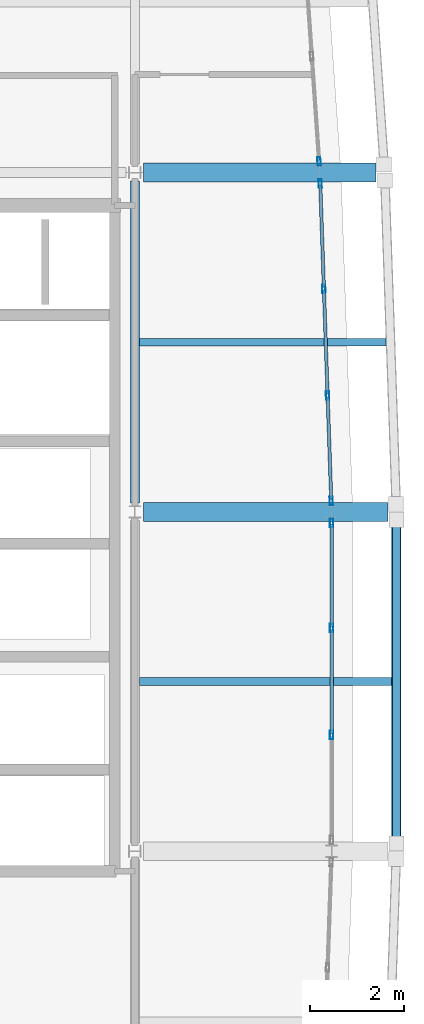
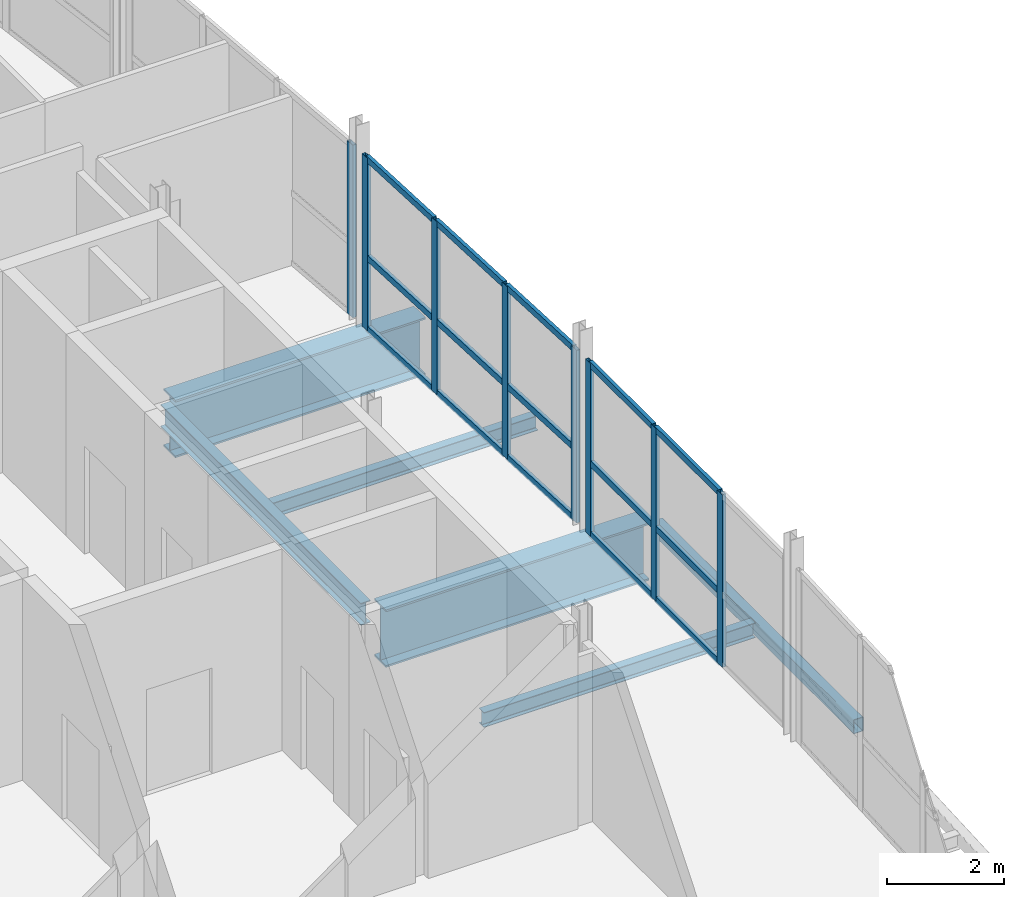
# One storey, part 6 of 17: 23 members, 6 beams, 3 elements without a shape of their own.
"""IFC4 building model written with IfcOpenShell, lengths in metres."""

from ifc_helpers import new_model, si_unit, direction, frame, origin, origin_2d, place, context, subcontext, project, spatial, hollow_rectangle, i_section, extrude, material, layer, layer_set, material_profile, profile_set, type_object, element, aggregate, save


model = new_model("IFC4")

# Units and contexts
model_context = context("Model", 3, precision=1e-05, world=origin(), true_north=direction((0.0, 1.0)))
body_context = subcontext(model_context, "Body", "Model", "MODEL_VIEW")
ifc_project = project(units=[si_unit("LENGTHUNIT", "METRE"), si_unit("AREAUNIT", "SQUARE_METRE"), si_unit("VOLUMEUNIT", "CUBIC_METRE"), si_unit("PLANEANGLEUNIT", "RADIAN"), si_unit("MASSUNIT", "GRAM", prefix="KILO")], contexts=[model_context])

# Site, building, storey
site_placement = place(None, origin())
site = spatial("IfcSite", under=ifc_project, at=site_placement, CompositionType="ELEMENT")
building_placement = place(site_placement, origin())
building = spatial("IfcBuilding", under=site, at=building_placement, Name="Quillay Park Conservatory", CompositionType="ELEMENT")
storey_placement = place(building_placement, frame((0.0, 0.0, 60.300048828125)))
storey = spatial("IfcBuildingStorey", under=building, at=storey_placement, Name="L14", CompositionType="ELEMENT", Elevation=60.300048828125)

# Beams
ifc_material_1 = material(Name="Steel ASTM A992 Grade 50", Category="steel")
ifc_material_profile_1 = material_profile(ifc_material_1, i_section(OverallWidth=0.166015625, OverallDepth=0.31298828125, WebThickness=0.006591796875, FlangeThickness=0.01123046875, FilletRadius=0.010009765625, at=origin_2d()), Name="W310x45")
ifc_profile_set_1 = profile_set([ifc_material_profile_1], Name="Steel ASTM A992 Grade 50")
beam_type_1 = type_object("IfcBeamType", Name="COMPOSITE FLOOR JOIST W310 X45", PredefinedType="JOIST", material=ifc_profile_set_1)
beam_1_placement = place(storey_placement, frame((19.845947265625, 88.800048828125, -0.37158203125), z_axis=(1.0, 0.0, 0.0), x_axis=(0.0, 1.0, 0.0)))
element("IfcBeam", 1, at=beam_1_placement, inside=storey, type_object=beam_type_1, Name="L14 beam BM-J-0979", PredefinedType="JOIST", context=body_context, shape_type="SweptSolid", body=[
    extrude(i_section(OverallWidth=0.166015625, OverallDepth=0.31298828125, WebThickness=0.006591796875, FlangeThickness=0.01123046875, FilletRadius=0.010009765625, at=origin_2d()), origin(), (0.0, 0.0, 1.0), 5.35400390625),
])
beam_2_placement = place(storey_placement, frame((19.845947265625, 96.0, -0.37158203125), z_axis=(1.0, 0.0, 0.0), x_axis=(0.0, 1.0, 0.0)))
element("IfcBeam", 2, at=beam_2_placement, inside=storey, type_object=beam_type_1, Name="L14 beam BM-J-0985", PredefinedType="JOIST", context=body_context, shape_type="SweptSolid", body=[
    extrude(i_section(OverallWidth=0.166015625, OverallDepth=0.31298828125, WebThickness=0.006591796875, FlangeThickness=0.01123046875, FilletRadius=0.010009765625, at=origin_2d()), origin(), (0.0, 0.0, 1.0), 5.22900390625),
])

# Curtain wall, members
ifc_material_2 = material(Name="Thermally Broken Anodised Aluminium 6063-T6", Category="aluminium")
ifc_layer = layer(ifc_material_2, 0.179931640625)
ifc_layer_set = layer_set([ifc_layer], Name="UNITISED CURTAIN WALL TOWER (Thermally Broken Anodised Aluminium 6063-T6)")
curtain_wall_type = type_object("IfcCurtainWallType", Name="UNITISED CURTAIN WALL TOWER", PredefinedType="USERDEFINED", material=ifc_layer_set)
curtain_wall_1_placement = place(storey_placement, origin())
curtain_wall_1 = element("IfcCurtainWall", 3, at=curtain_wall_1_placement, inside=storey, type_object=curtain_wall_type, Name="L14 Unitised Curtain Wall 132", ObjectType="UNITISED CURTAIN WALL", PredefinedType="USERDEFINED")
ifc_material_3 = material(Name="Thermally Broken Anodised Aluminium 6063-T6", Category="aluminium")
ifc_material_profile_2 = material_profile(ifc_material_3, hollow_rectangle(XDim=0.070068359375, YDim=0.179931640625, WallThickness=0.00390625, at=origin_2d()), Name="AL70x180x4")
ifc_profile_set_2 = profile_set([ifc_material_profile_2], Name="Thermally Broken Anodised Aluminium 6063-T6")
member_type_1 = type_object("IfcMemberType", Name="CURTAIN WALL MULLION 70 X180", PredefinedType="MULLION", material=ifc_profile_set_2)
member_1_placement = place(storey_placement, frame((23.925048828125, 92.1650390625, 0.0), z_axis=(0.0, 0.0, 1.0), x_axis=(1.0, 0.0, 0.0)))
member_1 = element("IfcMember", 4, at=member_1_placement, type_object=member_type_1, Name="CW-T1 mullion 1", PredefinedType="MULLION", context=body_context, shape_type="SweptSolid", body=[
    extrude(hollow_rectangle(XDim=0.070068359375, YDim=0.179931640625, WallThickness=0.00390625, at=origin_2d()), origin(), (0.0, 0.0, 1.0), 3.598876953125),
])
member_2_placement = place(storey_placement, frame((23.925048828125, 89.933349609375, 0.0), z_axis=(0.0, 0.0, 1.0), x_axis=(1.0, 0.0, 0.0)))
member_2 = element("IfcMember", 5, at=member_2_placement, type_object=member_type_1, Name="CW-T1 mullion 2", PredefinedType="MULLION", context=body_context, shape_type="SweptSolid", body=[
    extrude(hollow_rectangle(XDim=0.070068359375, YDim=0.179931640625, WallThickness=0.00390625, at=origin_2d()), origin(), (0.0, 0.0, 1.0), 3.598876953125),
])
member_3_placement = place(storey_placement, frame((23.925048828125, 87.666748046875, 0.0), z_axis=(0.0, 0.0, 1.0), x_axis=(1.0, 0.0, 0.0)))
member_3 = element("IfcMember", 6, at=member_3_placement, type_object=member_type_1, Name="CW-T1 mullion 3", PredefinedType="MULLION", context=body_context, shape_type="SweptSolid", body=[
    extrude(hollow_rectangle(XDim=0.070068359375, YDim=0.179931640625, WallThickness=0.00390625, at=origin_2d()), origin(), (0.0, 0.0, 1.0), 3.598876953125),
])

curtain_wall_2_placement = place(storey_placement, origin())
curtain_wall_2 = element("IfcCurtainWall", 7, at=curtain_wall_2_placement, inside=storey, type_object=curtain_wall_type, Name="L14 Unitised Curtain Wall 133", ObjectType="UNITISED CURTAIN WALL", PredefinedType="USERDEFINED")
member_4_placement = place(storey_placement, frame((23.68310546875, 99.365234375, 0.0), z_axis=(0.0, 0.0, 1.0), x_axis=(0.999397310446, 0.034713338537, 0.0)))
member_4 = element("IfcMember", 8, at=member_4_placement, type_object=member_type_1, Name="CW-T1 mullion 1", PredefinedType="MULLION", context=body_context, shape_type="SweptSolid", body=[
    extrude(hollow_rectangle(XDim=0.070068359375, YDim=0.179931640625, WallThickness=0.00390625, at=origin_2d()), origin(), (0.0, 0.0, 1.0), 3.598876953125),
])
member_5_placement = place(storey_placement, frame((23.7607421875, 97.13330078125, 0.0), z_axis=(0.0, 0.0, 1.0), x_axis=(0.999397310446, 0.034713338537, 0.0)))
member_5 = element("IfcMember", 9, at=member_5_placement, type_object=member_type_1, Name="CW-T1 mullion 2", PredefinedType="MULLION", context=body_context, shape_type="SweptSolid", body=[
    extrude(hollow_rectangle(XDim=0.070068359375, YDim=0.179931640625, WallThickness=0.00390625, at=origin_2d()), origin(), (0.0, 0.0, 1.0), 3.598876953125),
])
member_6_placement = place(storey_placement, frame((23.83935546875, 94.86669921875, 0.0), z_axis=(0.0, 0.0, 1.0), x_axis=(0.999397310446, 0.034713338537, 0.0)))
member_6 = element("IfcMember", 10, at=member_6_placement, type_object=member_type_1, Name="CW-T1 mullion 3", PredefinedType="MULLION", context=body_context, shape_type="SweptSolid", body=[
    extrude(hollow_rectangle(XDim=0.070068359375, YDim=0.179931640625, WallThickness=0.00390625, at=origin_2d()), origin(), (0.0, 0.0, 1.0), 3.598876953125),
])
member_7_placement = place(storey_placement, frame((23.9169921875, 92.634765625, 0.0), z_axis=(0.0, 0.0, 1.0), x_axis=(0.999397310446, 0.034713338537, 0.0)))
member_7 = element("IfcMember", 11, at=member_7_placement, type_object=member_type_1, Name="CW-T1 mullion 4", PredefinedType="MULLION", context=body_context, shape_type="SweptSolid", body=[
    extrude(hollow_rectangle(XDim=0.070068359375, YDim=0.179931640625, WallThickness=0.00390625, at=origin_2d()), origin(), (0.0, 0.0, 1.0), 3.598876953125),
])

# Curtain wall, member
curtain_wall_3_placement = place(storey_placement, origin())
curtain_wall_3 = element("IfcCurtainWall", 12, at=curtain_wall_3_placement, inside=storey, type_object=curtain_wall_type, Name="L14 Unitised Curtain Wall 134", ObjectType="UNITISED CURTAIN WALL", PredefinedType="USERDEFINED")
member_8_placement = place(storey_placement, frame((23.65869140625, 99.83447265625, 0.0), z_axis=(0.0, 0.0, 1.0), x_axis=(0.99759835015, 0.069264217159, 0.0)))
member_8 = element("IfcMember", 13, at=member_8_placement, type_object=member_type_1, Name="CW-T1 mullion 4", PredefinedType="MULLION", context=body_context, shape_type="SweptSolid", body=[
    extrude(hollow_rectangle(XDim=0.070068359375, YDim=0.179931640625, WallThickness=0.00390625, at=origin_2d()), origin(), (0.0, 0.0, 1.0), 3.598876953125),
])
aggregate(curtain_wall_3, [member_8])

# Member
ifc_material_4 = material(Name="Thermally Broken Anodised Aluminium 6063-T6", Category="aluminium")
ifc_material_profile_3 = material_profile(ifc_material_4, hollow_rectangle(XDim=0.070068359375, YDim=0.1298828125, WallThickness=0.003173828125, at=origin_2d()), Name="AL70x130x3.2")
ifc_profile_set_3 = profile_set([ifc_material_profile_3], Name="Thermally Broken Anodised Aluminium 6063-T6")
member_type_2 = type_object("IfcMemberType", Name="CURTAIN WALL TRANSOM 70 X130", PredefinedType="USERDEFINED", material=ifc_profile_set_3)
member_9_placement = place(storey_placement, frame((23.925048828125, 92.1298828125, 0.034912109375), z_axis=(0.0, -1.0, 0.0), x_axis=(1.0, 0.0, 0.0)))
member_9 = element("IfcMember", 14, at=member_9_placement, type_object=member_type_2, Name="CW-T1 transom 1.1", ObjectType="TRANSOM", PredefinedType="USERDEFINED", context=body_context, shape_type="SweptSolid", body=[
    extrude(hollow_rectangle(XDim=0.070068359375, YDim=0.1298828125, WallThickness=0.003173828125, at=origin_2d()), origin(), (0.0, 0.0, 1.0), 2.16162109375),
])

member_10_placement = place(storey_placement, frame((23.925048828125, 92.1298828125, 1.511474609375), z_axis=(0.0, -1.0, 0.0), x_axis=(1.0, 0.0, 0.0)))
member_10 = element("IfcMember", 15, at=member_10_placement, type_object=member_type_2, Name="CW-T1 transom 1.2", ObjectType="TRANSOM", PredefinedType="USERDEFINED", context=body_context, shape_type="SweptSolid", body=[
    extrude(hollow_rectangle(XDim=0.070068359375, YDim=0.1298828125, WallThickness=0.003173828125, at=origin_2d()), origin(), (0.0, 0.0, 1.0), 2.16162109375),
])

member_11_placement = place(storey_placement, frame((23.925048828125, 92.1298828125, 3.56396484375), z_axis=(0.0, -1.0, 0.0), x_axis=(1.0, 0.0, 0.0)))
member_11 = element("IfcMember", 16, at=member_11_placement, type_object=member_type_2, Name="CW-T1 transom 1.3", ObjectType="TRANSOM", PredefinedType="USERDEFINED", context=body_context, shape_type="SweptSolid", body=[
    extrude(hollow_rectangle(XDim=0.070068359375, YDim=0.1298828125, WallThickness=0.003173828125, at=origin_2d()), origin(), (0.0, 0.0, 1.0), 2.16162109375),
])

member_12_placement = place(storey_placement, frame((23.925048828125, 89.8984375, 0.034912109375), z_axis=(0.0, -1.0, 0.0), x_axis=(1.0, 0.0, 0.0)))
member_12 = element("IfcMember", 17, at=member_12_placement, type_object=member_type_2, Name="CW-T1 transom 2.1", ObjectType="TRANSOM", PredefinedType="USERDEFINED", context=body_context, shape_type="SweptSolid", body=[
    extrude(hollow_rectangle(XDim=0.070068359375, YDim=0.1298828125, WallThickness=0.003173828125, at=origin_2d()), origin(), (0.0, 0.0, 1.0), 2.19677734375),
])

member_13_placement = place(storey_placement, frame((23.925048828125, 89.8984375, 1.511474609375), z_axis=(0.0, -1.0, 0.0), x_axis=(1.0, 0.0, 0.0)))
member_13 = element("IfcMember", 18, at=member_13_placement, type_object=member_type_2, Name="CW-T1 transom 2.2", ObjectType="TRANSOM", PredefinedType="USERDEFINED", context=body_context, shape_type="SweptSolid", body=[
    extrude(hollow_rectangle(XDim=0.070068359375, YDim=0.1298828125, WallThickness=0.003173828125, at=origin_2d()), origin(), (0.0, 0.0, 1.0), 2.19677734375),
])

member_14_placement = place(storey_placement, frame((23.925048828125, 89.8984375, 3.56396484375), z_axis=(0.0, -1.0, 0.0), x_axis=(1.0, 0.0, 0.0)))
member_14 = element("IfcMember", 19, at=member_14_placement, type_object=member_type_2, Name="CW-T1 transom 2.3", ObjectType="TRANSOM", PredefinedType="USERDEFINED", context=body_context, shape_type="SweptSolid", body=[
    extrude(hollow_rectangle(XDim=0.070068359375, YDim=0.1298828125, WallThickness=0.003173828125, at=origin_2d()), origin(), (0.0, 0.0, 1.0), 2.19677734375),
])

aggregate(curtain_wall_1, [member_1, member_2, member_3, member_9, member_10, member_11, member_12, member_13, member_14])

member_15_placement = place(storey_placement, frame((23.684326171875, 99.330078125, 0.034912109375), z_axis=(0.034765508592, -0.999395496994, 0.0), x_axis=(0.999395496994, 0.034765508592, 0.0)))
member_15 = element("IfcMember", 20, at=member_15_placement, type_object=member_type_2, Name="CW-T1 transom 1.1", ObjectType="TRANSOM", PredefinedType="USERDEFINED", context=body_context, shape_type="SweptSolid", body=[
    extrude(hollow_rectangle(XDim=0.070068359375, YDim=0.1298828125, WallThickness=0.003173828125, at=origin_2d()), origin(), (0.0, 0.0, 1.0), 2.162841796875),
])

member_16_placement = place(storey_placement, frame((23.684326171875, 99.330078125, 1.511474609375), z_axis=(0.034765508592, -0.999395496994, 0.0), x_axis=(0.999395496994, 0.034765508592, 0.0)))
member_16 = element("IfcMember", 21, at=member_16_placement, type_object=member_type_2, Name="CW-T1 transom 1.2", ObjectType="TRANSOM", PredefinedType="USERDEFINED", context=body_context, shape_type="SweptSolid", body=[
    extrude(hollow_rectangle(XDim=0.070068359375, YDim=0.1298828125, WallThickness=0.003173828125, at=origin_2d()), origin(), (0.0, 0.0, 1.0), 2.162841796875),
])

member_17_placement = place(storey_placement, frame((23.684326171875, 99.330078125, 3.56396484375), z_axis=(0.034765508592, -0.999395496994, 0.0), x_axis=(0.999395496994, 0.034765508592, 0.0)))
member_17 = element("IfcMember", 22, at=member_17_placement, type_object=member_type_2, Name="CW-T1 transom 1.3", ObjectType="TRANSOM", PredefinedType="USERDEFINED", context=body_context, shape_type="SweptSolid", body=[
    extrude(hollow_rectangle(XDim=0.070068359375, YDim=0.1298828125, WallThickness=0.003173828125, at=origin_2d()), origin(), (0.0, 0.0, 1.0), 2.162841796875),
])

member_18_placement = place(storey_placement, frame((23.761962890625, 97.098388671875, 0.034912109375), z_axis=(0.034653546152, -0.999399385501, 0.0), x_axis=(0.999399385501, 0.034653546152, 0.0)))
member_18 = element("IfcMember", 23, at=member_18_placement, type_object=member_type_2, Name="CW-T1 transom 2.1", ObjectType="TRANSOM", PredefinedType="USERDEFINED", context=body_context, shape_type="SweptSolid", body=[
    extrude(hollow_rectangle(XDim=0.070068359375, YDim=0.1298828125, WallThickness=0.003173828125, at=origin_2d()), origin(), (0.0, 0.0, 1.0), 2.197998046875),
])

member_19_placement = place(storey_placement, frame((23.761962890625, 97.098388671875, 1.511474609375), z_axis=(0.034653546152, -0.999399385501, 0.0), x_axis=(0.999399385501, 0.034653546152, 0.0)))
member_19 = element("IfcMember", 24, at=member_19_placement, type_object=member_type_2, Name="CW-T1 transom 2.2", ObjectType="TRANSOM", PredefinedType="USERDEFINED", context=body_context, shape_type="SweptSolid", body=[
    extrude(hollow_rectangle(XDim=0.070068359375, YDim=0.1298828125, WallThickness=0.003173828125, at=origin_2d()), origin(), (0.0, 0.0, 1.0), 2.197998046875),
])

member_20_placement = place(storey_placement, frame((23.761962890625, 97.098388671875, 3.56396484375), z_axis=(0.034653546152, -0.999399385501, 0.0), x_axis=(0.999399385501, 0.034653546152, 0.0)))
member_20 = element("IfcMember", 25, at=member_20_placement, type_object=member_type_2, Name="CW-T1 transom 2.3", ObjectType="TRANSOM", PredefinedType="USERDEFINED", context=body_context, shape_type="SweptSolid", body=[
    extrude(hollow_rectangle(XDim=0.070068359375, YDim=0.1298828125, WallThickness=0.003173828125, at=origin_2d()), origin(), (0.0, 0.0, 1.0), 2.197998046875),
])

member_21_placement = place(storey_placement, frame((23.840576171875, 94.83154296875, 0.034912109375), z_axis=(0.034765508592, -0.999395496994, 0.0), x_axis=(0.999395496994, 0.034765508592, 0.0)))
member_21 = element("IfcMember", 26, at=member_21_placement, type_object=member_type_2, Name="CW-T1 transom 3.1", ObjectType="TRANSOM", PredefinedType="USERDEFINED", context=body_context, shape_type="SweptSolid", body=[
    extrude(hollow_rectangle(XDim=0.070068359375, YDim=0.1298828125, WallThickness=0.003173828125, at=origin_2d()), origin(), (0.0, 0.0, 1.0), 2.162841796875),
])

member_22_placement = place(storey_placement, frame((23.840576171875, 94.83154296875, 1.511474609375), z_axis=(0.034765508592, -0.999395496994, 0.0), x_axis=(0.999395496994, 0.034765508592, 0.0)))
member_22 = element("IfcMember", 27, at=member_22_placement, type_object=member_type_2, Name="CW-T1 transom 3.2", ObjectType="TRANSOM", PredefinedType="USERDEFINED", context=body_context, shape_type="SweptSolid", body=[
    extrude(hollow_rectangle(XDim=0.070068359375, YDim=0.1298828125, WallThickness=0.003173828125, at=origin_2d()), origin(), (0.0, 0.0, 1.0), 2.162841796875),
])

member_23_placement = place(storey_placement, frame((23.840576171875, 94.83154296875, 3.56396484375), z_axis=(0.034765508592, -0.999395496994, 0.0), x_axis=(0.999395496994, 0.034765508592, 0.0)))
member_23 = element("IfcMember", 28, at=member_23_placement, type_object=member_type_2, Name="CW-T1 transom 3.3", ObjectType="TRANSOM", PredefinedType="USERDEFINED", context=body_context, shape_type="SweptSolid", body=[
    extrude(hollow_rectangle(XDim=0.070068359375, YDim=0.1298828125, WallThickness=0.003173828125, at=origin_2d()), origin(), (0.0, 0.0, 1.0), 2.162841796875),
])

aggregate(curtain_wall_2, [member_4, member_5, member_6, member_7, member_15, member_16, member_17, member_18, member_19, member_20, member_21, member_22, member_23])

# Beams
ifc_material_5 = material(Name="Steel S355J2H", Category="steel")
ifc_material_profile_4 = material_profile(ifc_material_5, hollow_rectangle(XDim=0.199951171875, YDim=0.300048828125, WallThickness=0.012451171875, InnerFilletRadius=0.012451171875, OuterFilletRadius=0.02490234375, at=origin_2d()), Name="RHS300x200x12.5")
ifc_profile_set_4 = profile_set([ifc_material_profile_4], Name="Steel S355J2H")
beam_type_2 = type_object("IfcBeamType", Name="PERIMETER SPANDREL BEAM RHS300", PredefinedType="SPANDREL", material=ifc_profile_set_4)
beam_3_placement = place(storey_placement, frame((25.300048828125, 85.3779296875, -0.364990234375), z_axis=(0.0, 1.0, 0.0), x_axis=(-1.0, 0.0, 0.0)))
element("IfcBeam", 29, at=beam_3_placement, inside=storey, type_object=beam_type_2, Name="L14 beam BM-SPE-0975", PredefinedType="SPANDREL", context=body_context, shape_type="SweptSolid", body=[
    extrude(hollow_rectangle(XDim=0.199951171875, YDim=0.300048828125, WallThickness=0.012451171875, InnerFilletRadius=0.012451171875, OuterFilletRadius=0.02490234375, at=origin_2d()), origin(), (0.0, 0.0, 1.0), 6.843994140625),
])
ifc_material_6 = material(Name="Steel ASTM A992 Grade 50", Category="steel")
ifc_material_profile_5 = material_profile(ifc_material_6, i_section(OverallWidth=0.19189453125, OverallDepth=0.462890625, WebThickness=0.010498046875, FlangeThickness=0.017578125, FilletRadius=0.012939453125, at=origin_2d()), Name="W460x89")
ifc_profile_set_5 = profile_set([ifc_material_profile_5], Name="Steel ASTM A992 Grade 50")
beam_type_3 = type_object("IfcBeamType", Name="PRIMARY FLOOR GIRDER W460 X89", PredefinedType="BEAM", material=ifc_profile_set_5)
beam_4_placement = place(storey_placement, frame((19.75, 92.58447265625, -0.446533203125), z_axis=(0.0, 1.0, 0.0), x_axis=(-1.0, 0.0, 0.0)))
element("IfcBeam", 30, at=beam_4_placement, inside=storey, type_object=beam_type_3, Name="L14 beam BM-GNS-0983", PredefinedType="BEAM", context=body_context, shape_type="SweptSolid", body=[
    extrude(i_section(OverallWidth=0.19189453125, OverallDepth=0.462890625, WebThickness=0.010498046875, FlangeThickness=0.017578125, FilletRadius=0.012939453125, at=origin_2d()), origin(), (0.0, 0.0, 1.0), 6.837646484375),
])
ifc_material_7 = material(Name="Steel ASTM A572 Grade 50", Category="steel")
ifc_material_profile_6 = material_profile(ifc_material_7, i_section(OverallWidth=0.39990234375, OverallDepth=1.199951171875, WebThickness=0.02001953125, FlangeThickness=0.0380859375, at=origin_2d()), Name="IG1200x400")
ifc_profile_set_6 = profile_set([ifc_material_profile_6], Name="Steel ASTM A572 Grade 50")
beam_type_4 = type_object("IfcBeamType", Name="TRANSFER PLATE GIRDER IG1200", PredefinedType="USERDEFINED", material=ifc_profile_set_6)
beam_5_placement = place(storey_placement, frame((19.927978515625, 92.39990234375, -0.81494140625), z_axis=(1.0, 0.0, 0.0), x_axis=(0.0, 1.0, 0.0)))
element("IfcBeam", 31, at=beam_5_placement, inside=storey, type_object=beam_type_4, Name="L14 beam BM-TG2-0951", ObjectType="TRANSFER PLATE GIRDER", PredefinedType="USERDEFINED", context=body_context, shape_type="SweptSolid", body=[
    extrude(i_section(OverallWidth=0.39990234375, OverallDepth=1.199951171875, WebThickness=0.02001953125, FlangeThickness=0.0380859375, at=origin_2d()), origin(), (0.0, 0.0, 1.0), 5.1875),
])
beam_6_placement = place(storey_placement, frame((19.9345703125, 99.60009765625, -0.81494140625), z_axis=(1.0, 0.0, 0.0), x_axis=(0.0, 1.0, 0.0)))
element("IfcBeam", 32, at=beam_6_placement, inside=storey, type_object=beam_type_4, Name="L14 beam BM-TG2-0954", ObjectType="TRANSFER PLATE GIRDER", PredefinedType="USERDEFINED", context=body_context, shape_type="SweptSolid", body=[
    extrude(i_section(OverallWidth=0.39990234375, OverallDepth=1.199951171875, WebThickness=0.02001953125, FlangeThickness=0.0380859375, at=origin_2d()), origin(), (0.0, 0.0, 1.0), 4.930908203125),
])

save(model, "model.ifc")
